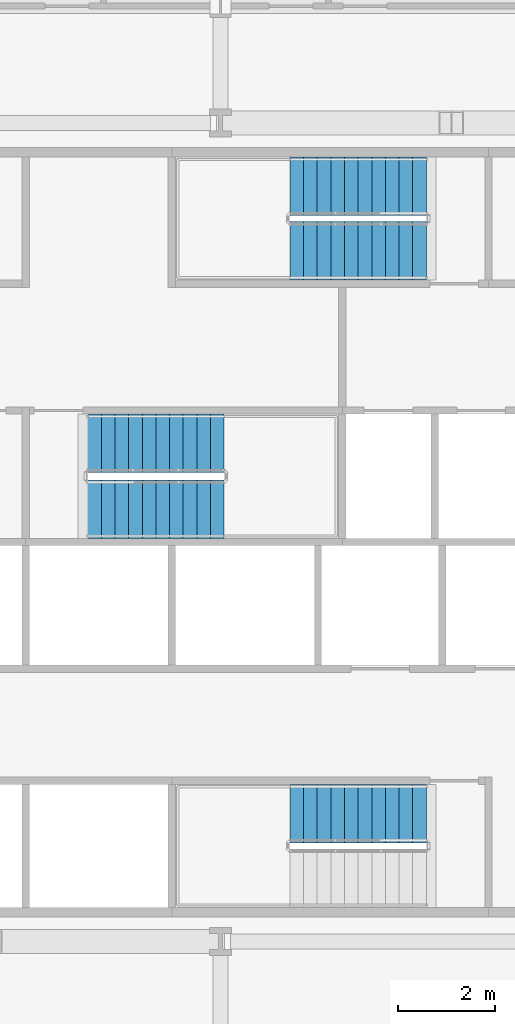
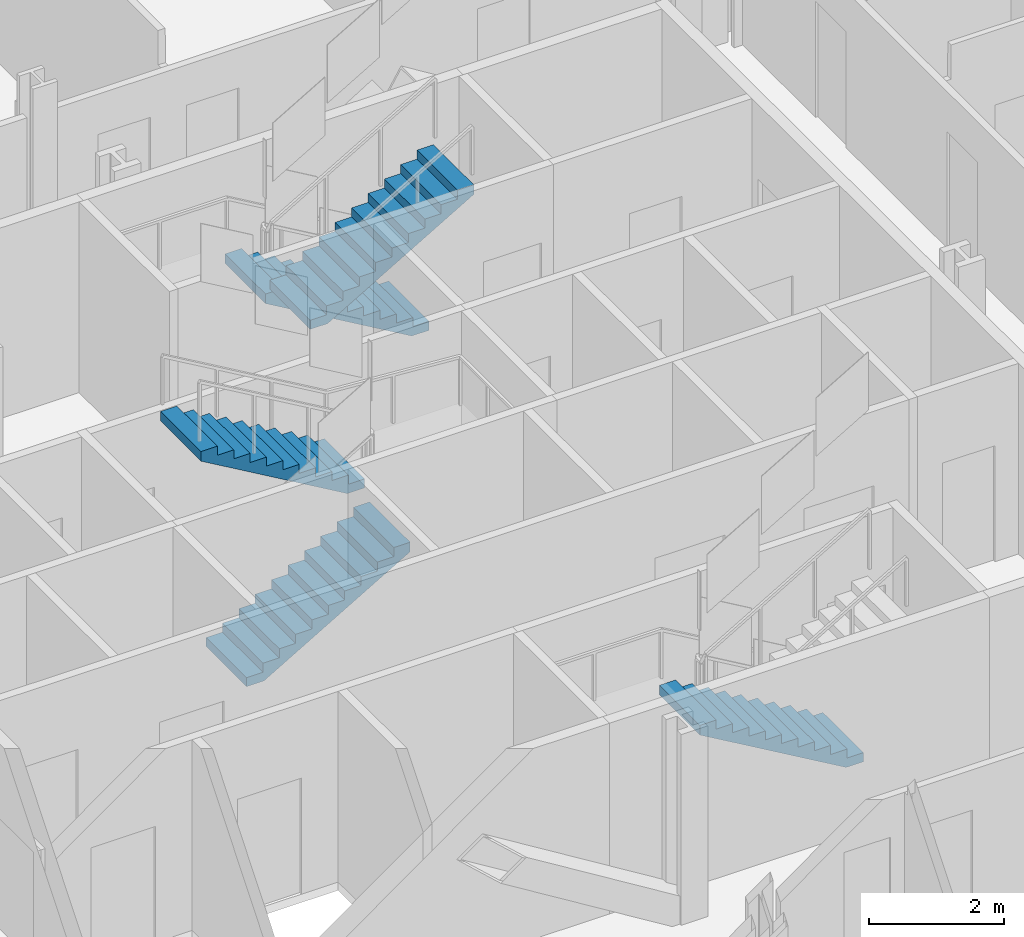
# One storey, part 13 of 20: 5 stair flights, 3 elements without a shape of their own.
"""IFC4 building model written with IfcOpenShell, lengths in metres."""

from ifc_helpers import new_model, si_unit, direction, frame, origin, place, context, subcontext, project, spatial, polyline, outline, extrude, material, type_object, element, aggregate, save


model = new_model("IFC4")

# Units and contexts
model_context = context("Model", 3, precision=1e-05, world=origin(), true_north=direction((0.0, 1.0)))
body_context = subcontext(model_context, "Body", "Model", "MODEL_VIEW")
ifc_project = project(units=[si_unit("LENGTHUNIT", "METRE"), si_unit("AREAUNIT", "SQUARE_METRE"), si_unit("VOLUMEUNIT", "CUBIC_METRE"), si_unit("PLANEANGLEUNIT", "RADIAN"), si_unit("MASSUNIT", "GRAM", prefix="KILO")], contexts=[model_context])

# Site, building, storey
site_placement = place(None, origin())
site = spatial("IfcSite", under=ifc_project, at=site_placement, CompositionType="ELEMENT")
building_placement = place(site_placement, origin())
building = spatial("IfcBuilding", under=site, at=building_placement, Name="Cairn Pilgrim Tower", CompositionType="ELEMENT")
storey_placement = place(building_placement, frame((0.0, 0.0, 61.800048828125)))
storey = spatial("IfcBuildingStorey", under=building, at=storey_placement, Name="L13", CompositionType="ELEMENT", Elevation=61.800048828125)

# Stair, stair flight
ifc_material = material(Name="Concrete C32/40", Category="concrete")
stair_type = type_object("IfcStairType", Name="EXIT STAIR 1200", PredefinedType="HALF_TURN_STAIR", material=ifc_material)
stair_1_placement = place(storey_placement, origin())
stair_1 = element("IfcStair", 1, at=stair_1_placement, inside=storey, type_object=stair_type, Name="L13 Exit Stair A", PredefinedType="HALF_TURN_STAIR")
stair_flight_type = type_object("IfcStairFlightType", Name="STAIR FLIGHT 1200", PredefinedType="STRAIGHT", material=ifc_material)
stair_flight_1_placement = place(storey_placement, frame((11.425048828125, -3.375, 0.0), z_axis=(0.0, 0.0, 1.0), x_axis=(-1.0, 0.0, 0.0)))
stair_flight_1 = element("IfcStairFlight", 2, at=stair_flight_1_placement, type_object=stair_flight_type, Name="ST-A flight 1", NumberOfRisers=11, NumberOfTreads=10, PredefinedType="STRAIGHT", RiserHeight=0.163636364, TreadLength=0.28, context=body_context, shape_type="SweptSolid", body=[
    extrude(outline(polyline([(0.0, 0.0), (0.0, 0.16357421875), (0.280029296875, 0.16357421875), (0.280029296875, 0.327392578125), (0.56005859375, 0.327392578125), (0.56005859375, 0.490966796875), (0.840087890625, 0.490966796875), (0.840087890625, 0.654541015625), (1.1201171875, 0.654541015625), (1.1201171875, 0.818115234375), (1.39990234375, 0.818115234375), (1.39990234375, 0.98193359375), (1.679931640625, 0.98193359375), (1.679931640625, 1.1455078125), (1.9599609375, 1.1455078125), (1.9599609375, 1.30908203125), (2.239990234375, 1.30908203125), (2.239990234375, 1.47265625), (2.52001953125, 1.47265625), (2.52001953125, 1.636474609375), (2.800048828125, 1.636474609375), (2.800048828125, 1.800048828125), (2.800048828125, 1.462646484375), (0.297119140625, 0.0), (0.0, 0.0)])), frame((0.0, 0.60009765625, 0.0), z_axis=(0.0, -1.0, 0.0), x_axis=(1.0, 0.0, 0.0)), (0.0, 0.0, 1.0), 1.199951171875),
])
aggregate(stair_1, [stair_flight_1])

# Stair, stair flights
stair_2_placement = place(storey_placement, origin())
stair_2 = element("IfcStair", 3, at=stair_2_placement, inside=storey, type_object=stair_type, Name="L13 Exit Stair B", PredefinedType="HALF_TURN_STAIR")
stair_flight_2_placement = place(storey_placement, frame((4.47509765625, 2.875, 0.0), z_axis=(0.0, 0.0, 1.0), x_axis=(1.0, 0.0, 0.0)))
stair_flight_2 = element("IfcStairFlight", 4, at=stair_flight_2_placement, type_object=stair_flight_type, Name="ST-B flight 1", NumberOfRisers=11, NumberOfTreads=10, PredefinedType="STRAIGHT", RiserHeight=0.163636364, TreadLength=0.28, context=body_context, shape_type="SweptSolid", body=[
    extrude(outline(polyline([(0.0, 0.0), (0.0, 0.16357421875), (0.280029296875, 0.16357421875), (0.280029296875, 0.327392578125), (0.56005859375, 0.327392578125), (0.56005859375, 0.490966796875), (0.840087890625, 0.490966796875), (0.840087890625, 0.654541015625), (1.1201171875, 0.654541015625), (1.1201171875, 0.818115234375), (1.39990234375, 0.818115234375), (1.39990234375, 0.98193359375), (1.679931640625, 0.98193359375), (1.679931640625, 1.1455078125), (1.9599609375, 1.1455078125), (1.9599609375, 1.30908203125), (2.239990234375, 1.30908203125), (2.239990234375, 1.47265625), (2.52001953125, 1.47265625), (2.52001953125, 1.636474609375), (2.800048828125, 1.636474609375), (2.800048828125, 1.800048828125), (2.800048828125, 1.462646484375), (0.297119140625, 0.0), (0.0, 0.0)])), frame((0.0, 0.60009765625, 0.0), z_axis=(0.0, -1.0, 0.0), x_axis=(1.0, 0.0, 0.0)), (0.0, 0.0, 1.0), 1.199951171875),
])
stair_flight_3_placement = place(storey_placement, frame((7.27490234375, 4.22509765625, 1.800048828125), z_axis=(0.0, 0.0, 1.0), x_axis=(-1.0, 0.0, 0.0)))
stair_flight_3 = element("IfcStairFlight", 5, at=stair_flight_3_placement, type_object=stair_flight_type, Name="ST-B flight 2", NumberOfRisers=11, NumberOfTreads=10, PredefinedType="STRAIGHT", RiserHeight=0.163636364, TreadLength=0.28, context=body_context, shape_type="SweptSolid", body=[
    extrude(outline(polyline([(0.0, 0.0), (0.0, 0.16357421875), (0.280029296875, 0.16357421875), (0.280029296875, 0.327392578125), (0.56005859375, 0.327392578125), (0.56005859375, 0.490966796875), (0.840087890625, 0.490966796875), (0.840087890625, 0.654541015625), (1.1201171875, 0.654541015625), (1.1201171875, 0.818115234375), (1.39990234375, 0.818115234375), (1.39990234375, 0.98193359375), (1.679931640625, 0.98193359375), (1.679931640625, 1.1455078125), (1.9599609375, 1.1455078125), (1.9599609375, 1.30908203125), (2.239990234375, 1.30908203125), (2.239990234375, 1.47265625), (2.52001953125, 1.47265625), (2.52001953125, 1.636474609375), (2.800048828125, 1.636474609375), (2.800048828125, 1.800048828125), (2.800048828125, 1.462646484375), (0.297119140625, 0.0), (0.0, 0.0)])), frame((0.0, 0.60009765625, 0.0), z_axis=(0.0, -1.0, 0.0), x_axis=(1.0, 0.0, 0.0)), (0.0, 0.0, 1.0), 1.199951171875),
])
aggregate(stair_2, [stair_flight_2, stair_flight_3])

stair_3_placement = place(storey_placement, origin())
stair_3 = element("IfcStair", 6, at=stair_3_placement, inside=storey, type_object=stair_type, Name="L13 Exit Stair C", PredefinedType="HALF_TURN_STAIR")
stair_flight_4_placement = place(storey_placement, frame((11.425048828125, 9.5, 0.0), z_axis=(0.0, 0.0, 1.0), x_axis=(-1.0, 0.0, 0.0)))
stair_flight_4 = element("IfcStairFlight", 7, at=stair_flight_4_placement, type_object=stair_flight_type, Name="ST-C flight 1", NumberOfRisers=11, NumberOfTreads=10, PredefinedType="STRAIGHT", RiserHeight=0.163636364, TreadLength=0.28, context=body_context, shape_type="SweptSolid", body=[
    extrude(outline(polyline([(0.0, 0.0), (0.0, 0.16357421875), (0.280029296875, 0.16357421875), (0.280029296875, 0.327392578125), (0.56005859375, 0.327392578125), (0.56005859375, 0.490966796875), (0.840087890625, 0.490966796875), (0.840087890625, 0.654541015625), (1.1201171875, 0.654541015625), (1.1201171875, 0.818115234375), (1.39990234375, 0.818115234375), (1.39990234375, 0.98193359375), (1.679931640625, 0.98193359375), (1.679931640625, 1.1455078125), (1.9599609375, 1.1455078125), (1.9599609375, 1.30908203125), (2.239990234375, 1.30908203125), (2.239990234375, 1.47265625), (2.52001953125, 1.47265625), (2.52001953125, 1.636474609375), (2.800048828125, 1.636474609375), (2.800048828125, 1.800048828125), (2.800048828125, 1.462646484375), (0.297119140625, 0.0), (0.0, 0.0)])), frame((0.0, 0.60009765625, 0.0), z_axis=(0.0, -1.0, 0.0), x_axis=(1.0, 0.0, 0.0)), (0.0, 0.0, 1.0), 1.199951171875),
])
stair_flight_5_placement = place(storey_placement, frame((8.625, 8.175048828125, 1.800048828125), z_axis=(0.0, 0.0, 1.0), x_axis=(1.0, 0.0, 0.0)))
stair_flight_5 = element("IfcStairFlight", 8, at=stair_flight_5_placement, type_object=stair_flight_type, Name="ST-C flight 2", NumberOfRisers=11, NumberOfTreads=10, PredefinedType="STRAIGHT", RiserHeight=0.163636364, TreadLength=0.28, context=body_context, shape_type="SweptSolid", body=[
    extrude(outline(polyline([(0.0, 0.0), (0.0, 0.16357421875), (0.280029296875, 0.16357421875), (0.280029296875, 0.327392578125), (0.56005859375, 0.327392578125), (0.56005859375, 0.490966796875), (0.840087890625, 0.490966796875), (0.840087890625, 0.654541015625), (1.1201171875, 0.654541015625), (1.1201171875, 0.818115234375), (1.39990234375, 0.818115234375), (1.39990234375, 0.98193359375), (1.679931640625, 0.98193359375), (1.679931640625, 1.1455078125), (1.9599609375, 1.1455078125), (1.9599609375, 1.30908203125), (2.239990234375, 1.30908203125), (2.239990234375, 1.47265625), (2.52001953125, 1.47265625), (2.52001953125, 1.636474609375), (2.800048828125, 1.636474609375), (2.800048828125, 1.800048828125), (2.800048828125, 1.462646484375), (0.297119140625, 0.0), (0.0, 0.0)])), frame((0.0, 0.60009765625, 0.0), z_axis=(0.0, -1.0, 0.0), x_axis=(1.0, 0.0, 0.0)), (0.0, 0.0, 1.0), 1.199951171875),
])
aggregate(stair_3, [stair_flight_4, stair_flight_5])

save(model, "model.ifc")
